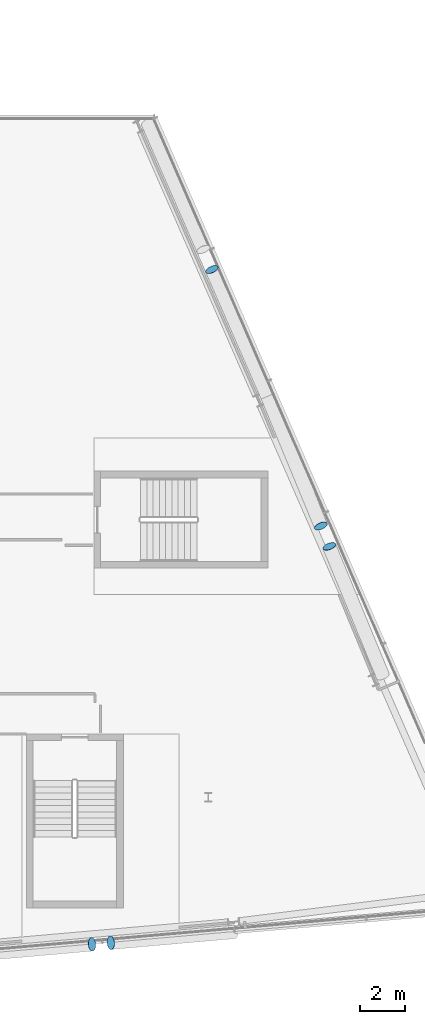
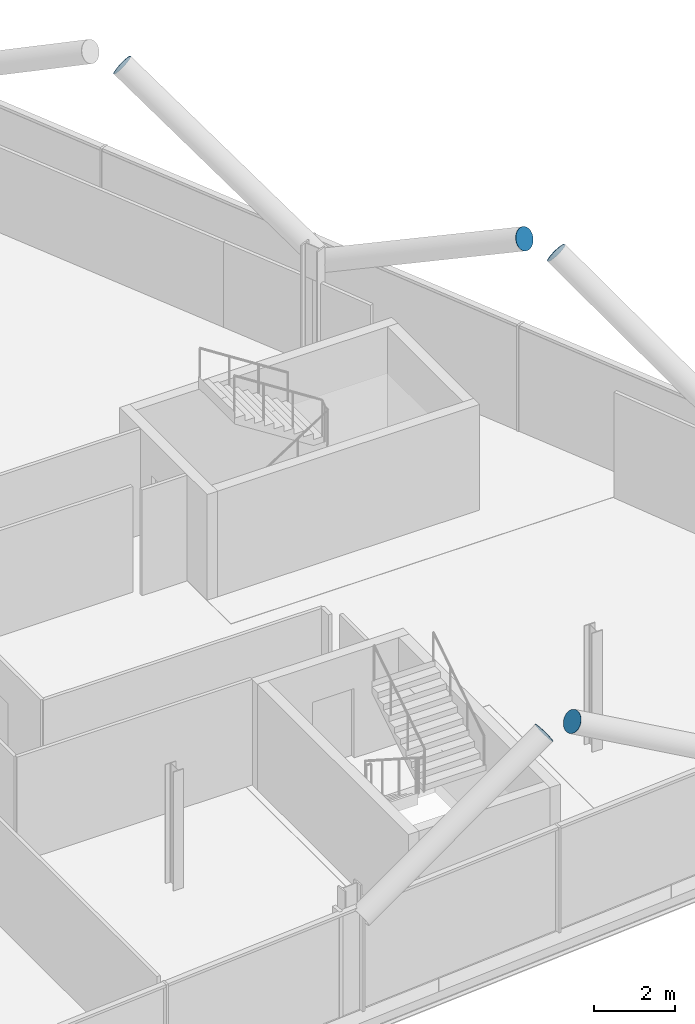
# One storey, part 21 of 25: 5 discrete accessories.
"""IFC4 building model written with IfcOpenShell, lengths in metres."""

import ifcopenshell
import ifcopenshell.guid

model = None  # the IFC model being written
_history = None  # IfcOwnerHistory: only IFC2X3 demands one
_inside = {}  # id of a spatial element -> (the spatial element, [elements in it])
_under = {}  # id of a project, library or spatial element -> (it, [spatial elements below it])
_declared = {}  # id of a project -> (the project, [libraries it declares])
_typed = {}  # id of a type object -> (the type object, [elements of that type])
_made_of = {}  # id of a material, layer set ... -> (it, [elements and type objects made of it])


def new_model(schema):
    """Start an empty IFC model of exactly this schema.

    Asked for "IFC4X3", IfcOpenShell would pick the latest addendum, in which some entities
    have other attributes; the version numbers below select the first issue.
    IFC2X3 requires an IfcOwnerHistory on every rooted entity: one is made here for all.
    """
    global model, _history
    if schema == "IFC4X3":
        model = ifcopenshell.file(schema_version=(4, 3, 0, 0))
    else:
        model = ifcopenshell.file(schema=schema)
    _inside.clear()
    _under.clear()
    _declared.clear()
    _typed.clear()
    _made_of.clear()
    _history = None
    if model.schema == "IFC2X3":
        org = make("IfcOrganization", Name="unknown")
        user = make(
            "IfcPersonAndOrganization",
            ThePerson=make("IfcPerson", FamilyName="unknown"),
            TheOrganization=org,
        )
        app = make(
            "IfcApplication",
            ApplicationDeveloper=org,
            Version="unknown",
            ApplicationFullName="unknown",
            ApplicationIdentifier="unknown",
        )
        _history = make(
            "IfcOwnerHistory",
            OwningUser=user,
            OwningApplication=app,
            ChangeAction="ADDED",
            CreationDate=0,
        )
    return model


def make(cls, **values):
    """One entity of the class cls with the attributes given. An attribute that is None is left unset."""
    return model.create_entity(
        cls, **{name: value for name, value in values.items() if value is not None}
    )


def rooted(cls, **values):
    """An entity with a GlobalId (a new one), such as an element, a storey or a relation."""
    return make(cls, GlobalId=ifcopenshell.guid.new(), OwnerHistory=_history, **values)


def si_unit(unit_type, name, prefix=None):
    """IfcSIUnit, for example si_unit("LENGTHUNIT", "METRE", prefix="MILLI")."""
    return make("IfcSIUnit", UnitType=unit_type, Prefix=prefix, Name=name)


def assignment(units):
    """IfcUnitAssignment: the units of a project."""
    return None if units is None else make("IfcUnitAssignment", Units=units)


def point(xyz):
    """IfcCartesianPoint."""
    return None if xyz is None else make("IfcCartesianPoint", Coordinates=xyz)


def direction(xyz):
    """IfcDirection."""
    return None if xyz is None else make("IfcDirection", DirectionRatios=xyz)


def frame(location, z_axis=None, x_axis=None):
    """IfcAxis2Placement3D, a coordinate frame: its origin and axes. An axis left out is left unset."""
    return make(
        "IfcAxis2Placement3D",
        Location=point(location),
        Axis=direction(z_axis),
        RefDirection=direction(x_axis),
    )


def frame_2d(location, x_axis=None):
    """IfcAxis2Placement2D, a coordinate frame in the plane: its origin and x axis."""
    return make(
        "IfcAxis2Placement2D", Location=point(location), RefDirection=direction(x_axis)
    )


def origin():
    """The frame at (0, 0, 0) with its axes left unset."""
    return frame((0.0, 0.0, 0.0))


def origin_2d():
    """The frame at (0, 0) in the plane with its x axis left unset."""
    return frame_2d((0.0, 0.0))


def place(relative_to, where):
    """IfcLocalPlacement: puts the frame where relative to a parent placement (None: the world)."""
    return make(
        "IfcLocalPlacement", PlacementRelTo=relative_to, RelativePlacement=where
    )


def context(
    kind, dimensions, precision=None, world=None, true_north=None, identifier=None
):
    """IfcGeometricRepresentationContext, for example the 3D "Model" context."""
    return make(
        "IfcGeometricRepresentationContext",
        ContextIdentifier=identifier,
        ContextType=kind,
        CoordinateSpaceDimension=dimensions,
        Precision=precision,
        WorldCoordinateSystem=world,
        TrueNorth=true_north,
    )


def subcontext(parent, identifier, kind, view, scale=None):
    """IfcGeometricRepresentationSubContext, for example "Body" below "Model"."""
    return make(
        "IfcGeometricRepresentationSubContext",
        ContextIdentifier=identifier,
        ContextType=kind,
        ParentContext=parent,
        TargetScale=scale,
        TargetView=view,
    )


def project(units=None, contexts=None):
    """IfcProject with its units and contexts."""
    return rooted(
        "IfcProject",
        Name="project",
        RepresentationContexts=contexts,
        UnitsInContext=assignment(units),
    )


def spatial(cls, under=None, at=None, **own):
    """A site, building, storey or space (cls), placed at a placement, below another one or the project."""
    s = rooted(cls, ObjectPlacement=at, **own)
    if under is not None:
        _under.setdefault(under.id(), (under, []))[1].append(s)
    return s


def profile(cls, at=None, kind="AREA", **sizes):
    """A parametric profile (cls). Its sizes go by their IFC names, for example OverallWidth=200.0."""
    return make(cls, ProfileType=kind, Position=at, **sizes)


def circle(**sizes):
    """IfcCircleProfileDef."""
    return profile("IfcCircleProfileDef", **sizes)


def extrude(swept, where, along, depth):
    """IfcExtrudedAreaSolid: the profile swept, set in the frame where, extruded along a direction by depth."""
    return make(
        "IfcExtrudedAreaSolid",
        SweptArea=swept,
        Position=where,
        ExtrudedDirection=direction(along),
        Depth=depth,
    )


def shape(context_of_items, identifier, shape_type, items):
    """IfcShapeRepresentation: the items that make up one representation, for example the "Body"."""
    return make(
        "IfcShapeRepresentation",
        ContextOfItems=context_of_items,
        RepresentationIdentifier=identifier,
        RepresentationType=shape_type,
        Items=items,
    )


def material(Name=None, Category=None):
    """IfcMaterial."""
    return make("IfcMaterial", Name=Name, Category=Category)


def material_profile(
    of_material, cross_section, Name=None, Category=None, Priority=None
):
    """IfcMaterialProfile: a cross section and its material."""
    return make(
        "IfcMaterialProfile",
        Name=Name,
        Material=of_material,
        Profile=cross_section,
        Priority=Priority,
        Category=Category,
    )


def profile_set(profiles, Name=None, composite=None):
    """IfcMaterialProfileSet."""
    return make(
        "IfcMaterialProfileSet",
        Name=Name,
        MaterialProfiles=profiles,
        CompositeProfile=composite,
    )


def made_of(thing, what):
    """Note that an element or type object is made of a material, layer set ...; save() writes the relation."""
    if what is not None:
        _made_of.setdefault(what.id(), (what, []))[1].append(thing)
    return thing


def type_object(cls, material=None, **own):
    """A type object (cls), such as IfcWallType, which elements share."""
    return made_of(rooted(cls, **own), material)


def element(
    cls,
    number,
    at=None,
    inside=None,
    cuts=None,
    type_object=None,
    material=None,
    context=None,
    identifier="Body",
    shape_type=None,
    held_by="IfcProductDefinitionShape",
    body=None,
    shapes=None,
    **own,
):
    """One element of the class cls, such as IfcWall. Its Tag is "e" and its number.

    at: its placement. inside: the storey or other place that contains it. cuts: it is an
    opening in that element (IfcRelVoidsElement). A single representation is given by context,
    identifier, shape_type and body (its items); several are given by shapes. held_by: the class
    of the entity that holds the representations. save() writes the other relations.
    """
    e = rooted(cls, Tag="e%d" % number, ObjectPlacement=at, **own)
    if body is not None:
        shapes = [shape(context, identifier, shape_type, body)]
    if shapes is not None:
        e.Representation = make(held_by, Representations=shapes)
    if inside is not None:
        _inside.setdefault(inside.id(), (inside, []))[1].append(e)
    if cuts is not None:
        rooted(
            "IfcRelVoidsElement", RelatingBuildingElement=cuts, RelatedOpeningElement=e
        )
    if type_object is not None:
        _typed.setdefault(type_object.id(), (type_object, []))[1].append(e)
    return made_of(e, material)


def aggregate(whole, parts):
    """IfcRelAggregates: a whole, such as a stair, and the parts it consists of."""
    return rooted("IfcRelAggregates", RelatingObject=whole, RelatedObjects=parts)


def save(model, path):
    """Write the relations noted so far, then the file.

    IfcRelAggregates (storeys below a building ...), IfcRelContainedInSpatialStructure (elements
    in a storey), IfcRelDefinesByType, IfcRelAssociatesMaterial and IfcRelDeclares: one each for
    every whole, place, type object, material and project.
    """
    for whole, parts in _under.values():
        aggregate(whole, parts)
    for where, things in _inside.values():
        rooted(
            "IfcRelContainedInSpatialStructure",
            RelatedElements=things,
            RelatingStructure=where,
        )
    for kind, things in _typed.values():
        rooted("IfcRelDefinesByType", RelatedObjects=things, RelatingType=kind)
    for what, things in _made_of.values():
        rooted("IfcRelAssociatesMaterial", RelatedObjects=things, RelatingMaterial=what)
    for by, libraries in _declared.values():
        rooted("IfcRelDeclares", RelatingContext=by, RelatedDefinitions=libraries)
    model.write(path)


model = new_model("IFC4")

# Units and contexts
model_context = context("Model", 3, precision=1e-05, world=origin(), true_north=direction((0.0, 1.0)))
body_context = subcontext(model_context, "Body", "Model", "MODEL_VIEW")
ifc_project = project(units=[si_unit("LENGTHUNIT", "METRE"), si_unit("AREAUNIT", "SQUARE_METRE"), si_unit("VOLUMEUNIT", "CUBIC_METRE"), si_unit("PLANEANGLEUNIT", "RADIAN"), si_unit("MASSUNIT", "GRAM", prefix="KILO")], contexts=[model_context])

# Site, building, storey
site_placement = place(None, origin())
site = spatial("IfcSite", under=ifc_project, at=site_placement, CompositionType="ELEMENT")
building_placement = place(site_placement, origin())
building = spatial("IfcBuilding", under=site, at=building_placement, Name="Wharfspan Tower", CompositionType="ELEMENT")
storey_placement = place(building_placement, frame((0.0, 0.0, 239.5)))
storey = spatial("IfcBuildingStorey", under=building, at=storey_placement, Name="L60", CompositionType="ELEMENT", Elevation=239.5)

# Discrete accessories
ifc_material = material(Name="Steel S460NH", Category="steel")
ifc_material_profile = material_profile(ifc_material, circle(Radius=0.304932, at=origin_2d()))
ifc_profile_set = profile_set([ifc_material_profile], Name="Steel S460NH")
discrete_accessory_type = type_object("IfcDiscreteAccessoryType", Name="End plate CHS 610x25", PredefinedType="BRACKET", material=ifc_profile_set)
for number, where, z_axis, x_axis, name in (
    (1, (66.778564, 4.9104, 6.240479), (0.844416, 0.072379, 0.530776), (-0.085402, 0.99635, 0.0), "End plate CHS 610x25"),
    (2, (67.638428, 4.985596, 6.240479), (-0.844416, -0.072379, 0.530776), (0.085402, -0.99635, 0.0), "End plate CHS 610x25"),
    (3, (77.431885, 22.744141, 6.232666), (-0.316603, 0.828038, 0.462727), (-0.934054, -0.357138, -1e-06), "End plate CHS 610x25"),
    (4, (77.047607, 23.675049, 6.232666), (0.345075, -0.81339, 0.468316), (0.920586, 0.390551, -2e-06), "End plate CHS 610x25"),
    (5, (72.16748, 35.160156, 6.233398), (-0.366508, 0.806318, 0.464244), (-0.910368, -0.413804, 1e-06), "End plate CHS 610x25"),
):
    element("IfcDiscreteAccessory", number, at=place(storey_placement, frame(where, z_axis=z_axis, x_axis=x_axis)), inside=storey, type_object=discrete_accessory_type, Name=name, PredefinedType="BRACKET", context=body_context, shape_type="SweptSolid", body=[
        extrude(circle(Radius=0.304932, at=origin_2d()), origin(), (0.0, 0.0, 1.0), 0.01001),
    ])

save(model, "model.ifc")
